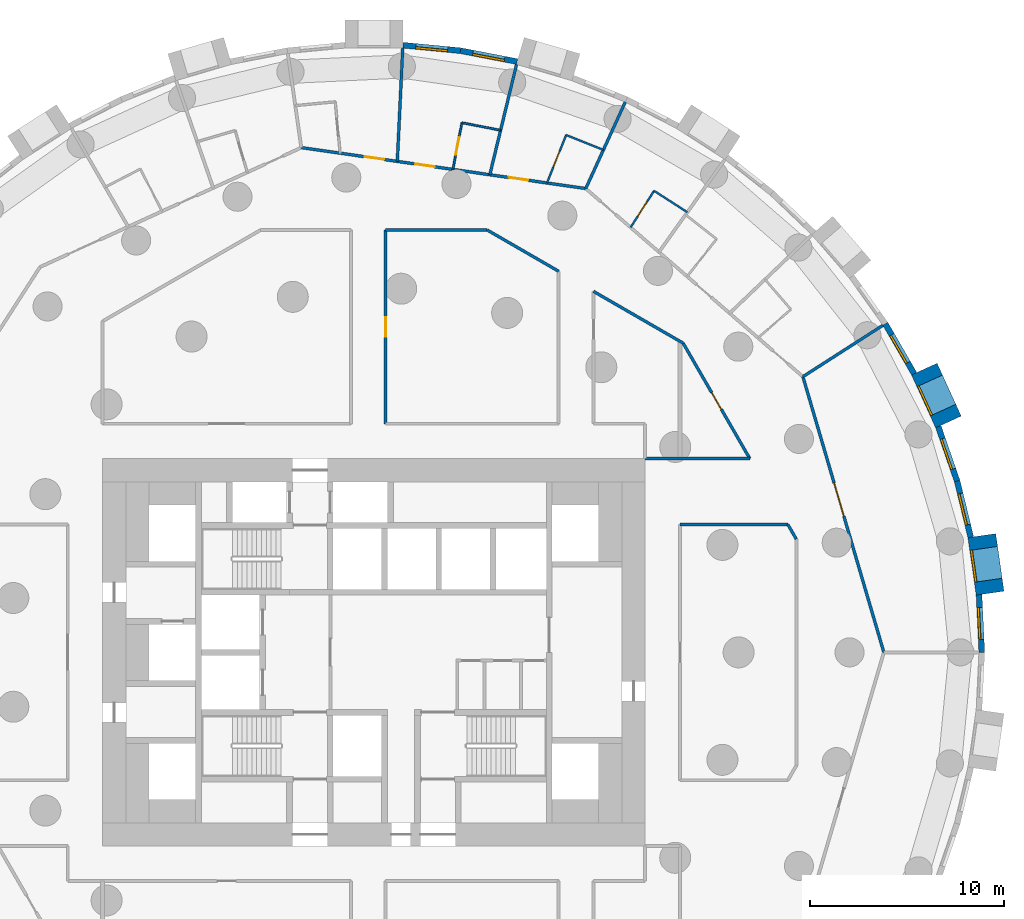
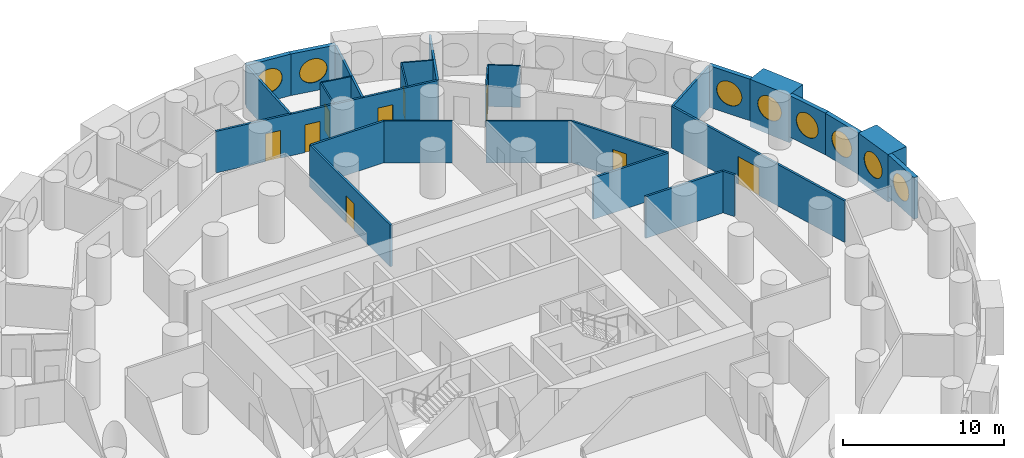
# One storey, part 9 of 12: 28 walls, 9 doors, 8 windows, 17 openings.
"""IFC4 building model written with IfcOpenShell, lengths in metres."""

from ifc_helpers import new_model, si_unit, direction, frame, frame_2d, origin, origin_2d, place, context, subcontext, project, spatial, rectangle, circle, extrude, material, layer, layer_set, type_object, element, fill, save


model = new_model("IFC4")

# Units and contexts
model_context = context("Model", 3, precision=1e-05, world=origin(), true_north=direction((0.0, 1.0)))
body_context = subcontext(model_context, "Body", "Model", "MODEL_VIEW")
ifc_project = project(units=[si_unit("LENGTHUNIT", "METRE"), si_unit("AREAUNIT", "SQUARE_METRE"), si_unit("VOLUMEUNIT", "CUBIC_METRE"), si_unit("PLANEANGLEUNIT", "RADIAN"), si_unit("MASSUNIT", "GRAM", prefix="KILO")], contexts=[model_context])

# Site, building, storey
site_placement = place(None, origin())
site = spatial("IfcSite", under=ifc_project, at=site_placement, CompositionType="ELEMENT")
building_placement = place(site_placement, origin())
building = spatial("IfcBuilding", under=site, at=building_placement, Name="Tracery Tower", CompositionType="ELEMENT")
storey_placement = place(building_placement, frame((0.0, 0.0, 49.800048828125)))
storey = spatial("IfcBuildingStorey", under=building, at=storey_placement, Name="L11", CompositionType="ELEMENT", Elevation=49.800048828125)

# Wall, opening, window
ifc_material_1 = material(Name="Precast concrete C50/60", Category="concrete")
ifc_layer_1 = layer(ifc_material_1, 1.449951171875)
ifc_layer_set_1 = layer_set([ifc_layer_1], Name="Deep-set bay unit 3000 x 3600, slab edge 450")
wall_type_1 = type_object("IfcWallType", Name="Deep-set bay unit 3000 x 3600, slab edge 450", PredefinedType="ELEMENTEDWALL", material=ifc_layer_set_1)
wall_1_placement = place(storey_placement, frame((31.802490234375, 3.05712890625, -0.449951171875), z_axis=(0.0, 0.0, 1.0), x_axis=(-0.142332746704, 0.989818866872, 0.0)))
wall_1 = element("IfcWall", 1, at=wall_1_placement, inside=storey, type_object=wall_type_1, Name="Deep-set bay unit 2 at L11", PredefinedType="ELEMENTEDWALL", context=body_context, shape_type="SweptSolid", body=[
    extrude(rectangle(XDim=3.0, YDim=1.449951171875, at=frame_2d((1.5, 0.0))), origin(), (0.0, 0.0, 1.0), 3.599853515625),
])
opening_1_placement = place(wall_1_placement, frame((1.5, 0.0, 2.0)))
opening_1 = element("IfcOpeningElement", 2, at=opening_1_placement, cuts=wall_1, Name="Opening WN1", PredefinedType="OPENING", context=body_context, shape_type="SweptSolid", body=[
    extrude(circle(Radius=0.9000244140625, at=origin_2d()), frame((0.0, 0.73486328125, 0.0), z_axis=(0.0, -1.0, 0.0), x_axis=(1.0, 0.0, 0.0)), (0.0, 0.0, 1.0), 1.469970703125),
])
ifc_material_2 = material(Name="Aluminium frame with tinted double glazing", Category="aluminium")
window_type = type_object("IfcWindowType", Name="Round window 1800", PartitioningType="SINGLE_PANEL", PredefinedType="WINDOW", material=ifc_material_2)
window_1_placement = place(opening_1_placement, origin())
window_1 = element("IfcWindow", 3, at=window_1_placement, inside=storey, type_object=window_type, Name="Round window 2 at L11", OverallHeight=1.800048828125, OverallWidth=1.800048828125, PartitioningType="SINGLE_PANEL", PredefinedType="WINDOW", context=body_context, shape_type="SweptSolid", body=[
    extrude(circle(Radius=0.9000244140625, at=origin_2d()), frame((0.0, 0.69482421875, 0.0), z_axis=(0.0, -1.0, 0.0), x_axis=(1.0, 0.0, 0.0)), (0.0, 0.0, 1.0), 0.10009765625),
])
fill(opening_1, window_1)

wall_2_placement = place(storey_placement, frame((29.653076171875, 11.89306640625, -0.449951171875), z_axis=(0.0, 0.0, 1.0), x_axis=(-0.415427028395, 0.909626508012, 0.0)))
wall_2 = element("IfcWall", 4, at=wall_2_placement, inside=storey, type_object=wall_type_1, Name="Deep-set bay unit 5 at L11", PredefinedType="ELEMENTEDWALL", context=body_context, shape_type="SweptSolid", body=[
    extrude(rectangle(XDim=3.000244140625, YDim=1.449951171875, at=frame_2d((1.5, 0.0))), origin(), (0.0, 0.0, 1.0), 3.599853515625),
])
opening_2_placement = place(wall_2_placement, frame((1.5, 0.0, 2.0)))
opening_2 = element("IfcOpeningElement", 5, at=opening_2_placement, cuts=wall_2, Name="Opening WN1", PredefinedType="OPENING", context=body_context, shape_type="SweptSolid", body=[
    extrude(circle(Radius=0.9000244140625, at=origin_2d()), frame((0.0, 0.73486328125, 0.0), z_axis=(0.0, -1.0, 0.0), x_axis=(1.0, 0.0, 0.0)), (0.0, 0.0, 1.0), 1.469970703125),
])
window_2_placement = place(opening_2_placement, origin())
window_2 = element("IfcWindow", 6, at=window_2_placement, inside=storey, type_object=window_type, Name="Round window 5 at L11", OverallHeight=1.800048828125, OverallWidth=1.800048828125, PartitioningType="SINGLE_PANEL", PredefinedType="WINDOW", context=body_context, shape_type="SweptSolid", body=[
    extrude(circle(Radius=0.9000244140625, at=origin_2d()), frame((0.0, 0.69482421875, 0.0), z_axis=(0.0, -1.0, 0.0), x_axis=(1.0, 0.0, 0.0)), (0.0, 0.0, 1.0), 0.10009765625),
])
fill(opening_2, window_2)

ifc_material_3 = material(Name="Precast concrete C50/60", Category="concrete")
ifc_layer_2 = layer(ifc_material_3, 0.300048828125)
ifc_layer_set_2 = layer_set([ifc_layer_2], Name="Facade panel 3000 x 3150")
wall_type_2 = type_object("IfcWallType", Name="Facade panel 3000 x 3150", PredefinedType="SOLIDWALL", material=ifc_layer_set_2)
wall_3_placement = place(storey_placement, frame((31.37451171875, 0.0, 0.0), z_axis=(0.0, 0.0, 1.0), x_axis=(-0.047604077644, 0.998866283239, 0.0)))
wall_3 = element("IfcWall", 7, at=wall_3_placement, inside=storey, type_object=wall_type_2, Name="Facade panel 1 at L11", PredefinedType="SOLIDWALL", context=body_context, shape_type="SweptSolid", body=[
    extrude(rectangle(XDim=2.979736328125, YDim=0.300048828125, at=frame_2d((1.48974609375, 0.0))), origin(), (0.0, 0.0, 1.0), 3.14990234375),
])
opening_3_placement = place(wall_3_placement, frame((1.48974609375, 0.0, 1.5498046875)))
opening_3 = element("IfcOpeningElement", 8, at=opening_3_placement, cuts=wall_3, Name="Opening WN1", PredefinedType="OPENING", context=body_context, shape_type="SweptSolid", body=[
    extrude(circle(Radius=0.9000244140625, at=origin_2d()), frame((0.0, 0.159912109375, 0.0), z_axis=(0.0, -1.0, 0.0), x_axis=(1.0, 0.0, 0.0)), (0.0, 0.0, 1.0), 0.320068359375),
])
window_3_placement = place(opening_3_placement, origin())
window_3 = element("IfcWindow", 9, at=window_3_placement, inside=storey, type_object=window_type, Name="Round window 1 at L11", OverallHeight=1.800048828125, OverallWidth=1.800048828125, PartitioningType="SINGLE_PANEL", PredefinedType="WINDOW", context=body_context, shape_type="SweptSolid", body=[
    extrude(circle(Radius=0.9000244140625, at=origin_2d()), frame((0.0, 0.1201171875, 0.0), z_axis=(0.0, -1.0, 0.0), x_axis=(1.0, 0.0, 0.0)), (0.0, 0.0, 1.0), 0.10009765625),
])
fill(opening_3, window_3)

wall_4_placement = place(storey_placement, frame((30.805908203125, 5.943603515625, 0.0), z_axis=(0.0, 0.0, 1.0), x_axis=(-0.235743081534, 0.971815414319, 0.0)))
wall_4 = element("IfcWall", 10, at=wall_4_placement, inside=storey, type_object=wall_type_2, Name="Facade panel 3 at L11", PredefinedType="SOLIDWALL", context=body_context, shape_type="SweptSolid", body=[
    extrude(rectangle(XDim=2.9794921875, YDim=0.300048828125, at=frame_2d((1.48974609375, 0.0))), origin(), (0.0, 0.0, 1.0), 3.14990234375),
])
opening_4_placement = place(wall_4_placement, frame((1.48974609375, 0.0, 1.5498046875)))
opening_4 = element("IfcOpeningElement", 11, at=opening_4_placement, cuts=wall_4, Name="Opening WN1", PredefinedType="OPENING", context=body_context, shape_type="SweptSolid", body=[
    extrude(circle(Radius=0.9000244140625, at=origin_2d()), frame((0.0, 0.159912109375, 0.0), z_axis=(0.0, -1.0, 0.0), x_axis=(1.0, 0.0, 0.0)), (0.0, 0.0, 1.0), 0.320068359375),
])
window_4_placement = place(opening_4_placement, origin())
window_4 = element("IfcWindow", 12, at=window_4_placement, inside=storey, type_object=window_type, Name="Round window 3 at L11", OverallHeight=1.800048828125, OverallWidth=1.800048828125, PartitioningType="SINGLE_PANEL", PredefinedType="WINDOW", context=body_context, shape_type="SweptSolid", body=[
    extrude(circle(Radius=0.9000244140625, at=origin_2d()), frame((0.0, 0.1201171875, 0.0), z_axis=(0.0, -1.0, 0.0), x_axis=(1.0, 0.0, 0.0)), (0.0, 0.0, 1.0), 0.10009765625),
])
fill(opening_4, window_4)

wall_5_placement = place(storey_placement, frame((30.103515625, 8.839111328125, 0.0), z_axis=(0.0, 0.0, 1.0), x_axis=(-0.327071167136, 0.944999709856, 0.0)))
wall_5 = element("IfcWall", 13, at=wall_5_placement, inside=storey, type_object=wall_type_2, Name="Facade panel 4 at L11", PredefinedType="SOLIDWALL", context=body_context, shape_type="SweptSolid", body=[
    extrude(rectangle(XDim=2.979736328125, YDim=0.300048828125, at=frame_2d((1.48974609375, 0.0))), origin(), (0.0, 0.0, 1.0), 3.14990234375),
])
opening_5_placement = place(wall_5_placement, frame((1.48974609375, 0.0, 1.5498046875)))
opening_5 = element("IfcOpeningElement", 14, at=opening_5_placement, cuts=wall_5, Name="Opening WN1", PredefinedType="OPENING", context=body_context, shape_type="SweptSolid", body=[
    extrude(circle(Radius=0.9000244140625, at=origin_2d()), frame((0.0, 0.159912109375, 0.0), z_axis=(0.0, -1.0, 0.0), x_axis=(1.0, 0.0, 0.0)), (0.0, 0.0, 1.0), 0.320068359375),
])
window_5_placement = place(opening_5_placement, origin())
window_5 = element("IfcWindow", 15, at=window_5_placement, inside=storey, type_object=window_type, Name="Round window 4 at L11", OverallHeight=1.800048828125, OverallWidth=1.800048828125, PartitioningType="SINGLE_PANEL", PredefinedType="WINDOW", context=body_context, shape_type="SweptSolid", body=[
    extrude(circle(Radius=0.9000244140625, at=origin_2d()), frame((0.0, 0.1201171875, 0.0), z_axis=(0.0, -1.0, 0.0), x_axis=(1.0, 0.0, 0.0)), (0.0, 0.0, 1.0), 0.10009765625),
])
fill(opening_5, window_5)

wall_6_placement = place(storey_placement, frame((27.8837890625, 14.3818359375, 0.0), z_axis=(0.0, 0.0, 1.0), x_axis=(-0.500025049464, 0.866010940986, 0.0)))
wall_6 = element("IfcWall", 16, at=wall_6_placement, inside=storey, type_object=wall_type_2, Name="Facade panel 6 at L11", PredefinedType="SOLIDWALL", context=body_context, shape_type="SweptSolid", body=[
    extrude(rectangle(XDim=2.979736328125, YDim=0.300048828125, at=frame_2d((1.48974609375, 0.0))), origin(), (0.0, 0.0, 1.0), 3.14990234375),
])
opening_6_placement = place(wall_6_placement, frame((1.48974609375, 0.0, 1.5498046875)))
opening_6 = element("IfcOpeningElement", 17, at=opening_6_placement, cuts=wall_6, Name="Opening WN1", PredefinedType="OPENING", context=body_context, shape_type="SweptSolid", body=[
    extrude(circle(Radius=0.9000244140625, at=origin_2d()), frame((0.0, 0.159912109375, 0.0), z_axis=(0.0, -1.0, 0.0), x_axis=(1.0, 0.0, 0.0)), (0.0, 0.0, 1.0), 0.320068359375),
])
window_6_placement = place(opening_6_placement, origin())
window_6 = element("IfcWindow", 18, at=window_6_placement, inside=storey, type_object=window_type, Name="Round window 6 at L11", OverallHeight=1.800048828125, OverallWidth=1.800048828125, PartitioningType="SINGLE_PANEL", PredefinedType="WINDOW", context=body_context, shape_type="SweptSolid", body=[
    extrude(circle(Radius=0.9000244140625, at=origin_2d()), frame((0.0, 0.1201171875, 0.0), z_axis=(0.0, -1.0, 0.0), x_axis=(1.0, 0.0, 0.0)), (0.0, 0.0, 1.0), 0.10009765625),
])
fill(opening_6, window_6)

wall_7_placement = place(storey_placement, frame((7.390869140625, 30.4912109375, 0.0), z_axis=(0.0, 0.0, 1.0), x_axis=(-0.981924535406, 0.189272836848, 0.0)))
wall_7 = element("IfcWall", 19, at=wall_7_placement, inside=storey, type_object=wall_type_2, Name="Facade panel 15 at L11", PredefinedType="SOLIDWALL", context=body_context, shape_type="SweptSolid", body=[
    extrude(rectangle(XDim=2.979736328125, YDim=0.300048828125, at=frame_2d((1.48974609375, 0.0))), origin(), (0.0, 0.0, 1.0), 3.14990234375),
])
opening_7_placement = place(wall_7_placement, frame((1.48974609375, 0.0, 1.5498046875)))
opening_7 = element("IfcOpeningElement", 20, at=opening_7_placement, cuts=wall_7, Name="Opening WN1", PredefinedType="OPENING", context=body_context, shape_type="SweptSolid", body=[
    extrude(circle(Radius=0.9000244140625, at=origin_2d()), frame((0.0, 0.159912109375, 0.0), z_axis=(0.0, -1.0, 0.0), x_axis=(1.0, 0.0, 0.0)), (0.0, 0.0, 1.0), 0.320068359375),
])
window_7_placement = place(opening_7_placement, origin())
window_7 = element("IfcWindow", 21, at=window_7_placement, inside=storey, type_object=window_type, Name="Round window 15 at L11", OverallHeight=1.800048828125, OverallWidth=1.800048828125, PartitioningType="SINGLE_PANEL", PredefinedType="WINDOW", context=body_context, shape_type="SweptSolid", body=[
    extrude(circle(Radius=0.9000244140625, at=origin_2d()), frame((0.0, 0.1201171875, 0.0), z_axis=(0.0, -1.0, 0.0), x_axis=(1.0, 0.0, 0.0)), (0.0, 0.0, 1.0), 0.10009765625),
])
fill(opening_7, window_7)

wall_8_placement = place(storey_placement, frame((4.465087890625, 31.05517578125, 0.0), z_axis=(0.0, 0.0, 1.0), x_axis=(-0.995473351551, 0.095041077185, 0.0)))
wall_8 = element("IfcWall", 22, at=wall_8_placement, inside=storey, type_object=wall_type_2, Name="Facade panel 16 at L11", PredefinedType="SOLIDWALL", context=body_context, shape_type="SweptSolid", body=[
    extrude(rectangle(XDim=2.979736328125, YDim=0.300048828125, at=frame_2d((1.48974609375, 0.0))), origin(), (0.0, 0.0, 1.0), 3.14990234375),
])
opening_8_placement = place(wall_8_placement, frame((1.48974609375, 0.0, 1.5498046875)))
opening_8 = element("IfcOpeningElement", 23, at=opening_8_placement, cuts=wall_8, Name="Opening WN1", PredefinedType="OPENING", context=body_context, shape_type="SweptSolid", body=[
    extrude(circle(Radius=0.9000244140625, at=origin_2d()), frame((0.0, 0.159912109375, 0.0), z_axis=(0.0, -1.0, 0.0), x_axis=(1.0, 0.0, 0.0)), (0.0, 0.0, 1.0), 0.320068359375),
])
window_8_placement = place(opening_8_placement, origin())
window_8 = element("IfcWindow", 24, at=window_8_placement, inside=storey, type_object=window_type, Name="Round window 16 at L11", OverallHeight=1.800048828125, OverallWidth=1.800048828125, PartitioningType="SINGLE_PANEL", PredefinedType="WINDOW", context=body_context, shape_type="SweptSolid", body=[
    extrude(circle(Radius=0.9000244140625, at=origin_2d()), frame((0.0, 0.1201171875, 0.0), z_axis=(0.0, -1.0, 0.0), x_axis=(1.0, 0.0, 0.0)), (0.0, 0.0, 1.0), 0.10009765625),
])
fill(opening_8, window_8)

# Wall
ifc_material_4 = material(Name="Plasterboard on steel studs", Category="steel")
ifc_layer_3 = layer(ifc_material_4, 0.10009765625)
ifc_layer_set_3 = layer_set([ifc_layer_3], Name="Partition 100 wet wall")
wall_type_3 = type_object("IfcWallType", Name="Partition 100 wet wall", PredefinedType="PARTITIONING", material=ifc_layer_set_3)
wall_9_placement = place(storey_placement, frame((14.4599609375, 23.821044921875, 0.0), z_axis=(0.0, 0.0, 1.0), x_axis=(0.841135728185, -0.540824081168, 0.0)))
element("IfcWall", 25, at=wall_9_placement, inside=storey, type_object=wall_type_3, Name="Wet wall RA3-068", PredefinedType="PARTITIONING", context=body_context, shape_type="SweptSolid", body=[
    extrude(rectangle(XDim=2.041259765625, YDim=0.10009765625, at=frame_2d((1.0205078125, 0.0))), origin(), (0.0, 0.0, 1.0), 3.14990234375),
])

# Wall, opening, door
wall_10_placement = place(storey_placement, frame((13.248046875, 21.93505859375, 0.0), z_axis=(0.0, 0.0, 1.0), x_axis=(0.540597960994, 0.841281073464, 0.0)))
wall_10 = element("IfcWall", 26, at=wall_10_placement, inside=storey, type_object=wall_type_3, Name="Wet wall RA3-069", PredefinedType="PARTITIONING", context=body_context, shape_type="SweptSolid", body=[
    extrude(rectangle(XDim=2.24169921875, YDim=0.10009765625, at=frame_2d((1.120849609375, 0.0))), origin(), (0.0, 0.0, 1.0), 3.14990234375),
])
opening_9_placement = place(wall_10_placement, frame((0.6708984375, 0.0, 0.0)))
opening_9 = element("IfcOpeningElement", 27, at=opening_9_placement, cuts=wall_10, Name="Opening RA3-16", PredefinedType="OPENING", context=body_context, shape_type="SweptSolid", body=[
    extrude(rectangle(XDim=0.89990234375, YDim=2.0400390625, at=frame_2d((0.449951171875, 1.02001953125))), frame((0.0, 0.050048828125, 0.0), z_axis=(0.0, -1.0, 0.0), x_axis=(1.0, 0.0, 0.0)), (0.0, 0.0, 1.0), 0.10009765625),
])
ifc_material_5 = material(Name="Timber door leaf", Category="wood")
door_type_1 = type_object("IfcDoorType", Name="Door en-suite 900", OperationType="NOTDEFINED", PredefinedType="DOOR", material=ifc_material_5)
door_1_placement = place(opening_9_placement, origin())
door_1 = element("IfcDoor", 28, at=door_1_placement, inside=storey, type_object=door_type_1, Name="En-suite door RA3-16", OperationType="SINGLE_SWING_RIGHT", OverallHeight=2.0400390625, OverallWidth=0.89990234375, PredefinedType="DOOR", context=body_context, shape_type="SweptSolid", body=[
    extrude(rectangle(XDim=0.89990234375, YDim=2.0400390625, at=frame_2d((0.449951171875, 1.02001953125))), frame((0.0, 0.02490234375, 0.0), z_axis=(0.0, -1.0, 0.0), x_axis=(1.0, 0.0, 0.0)), (0.0, 0.0, 1.0), 0.050048828125),
])
fill(opening_9, door_1)

# Wall
wall_11_placement = place(storey_placement, frame((9.9208984375, 26.7041015625, 0.0), z_axis=(0.0, 0.0, 1.0), x_axis=(0.928346586681, -0.37171577179, 0.0)))
element("IfcWall", 29, at=wall_11_placement, inside=storey, type_object=wall_type_3, Name="Wet wall RA3-071", PredefinedType="PARTITIONING", context=body_context, shape_type="SweptSolid", body=[
    extrude(rectangle(XDim=2.071533203125, YDim=0.10009765625, at=frame_2d((1.03564453125, 0.0))), origin(), (0.0, 0.0, 1.0), 3.14990234375),
])

# Wall, opening, door
wall_12_placement = place(storey_placement, frame((8.929931640625, 24.22802734375, 0.0), z_axis=(0.0, 0.0, 1.0), x_axis=(0.371564281805, 0.928407229876, 0.0)))
wall_12 = element("IfcWall", 30, at=wall_12_placement, inside=storey, type_object=wall_type_3, Name="Wet wall RA3-072", PredefinedType="PARTITIONING", context=body_context, shape_type="SweptSolid", body=[
    extrude(rectangle(XDim=2.6669921875, YDim=0.10009765625, at=frame_2d((1.33349609375, 0.0))), origin(), (0.0, 0.0, 1.0), 3.14990234375),
])
opening_10_placement = place(wall_12_placement, frame((0.884033203125, 0.0, 0.0)))
opening_10 = element("IfcOpeningElement", 31, at=opening_10_placement, cuts=wall_12, Name="Opening RA3-18", PredefinedType="OPENING", context=body_context, shape_type="SweptSolid", body=[
    extrude(rectangle(XDim=0.89990234375, YDim=2.0400390625, at=frame_2d((0.449951171875, 1.02001953125))), frame((0.0, 0.050048828125, 0.0), z_axis=(0.0, -1.0, 0.0), x_axis=(1.0, 0.0, 0.0)), (0.0, 0.0, 1.0), 0.10009765625),
])
door_2_placement = place(opening_10_placement, origin())
door_2 = element("IfcDoor", 32, at=door_2_placement, inside=storey, type_object=door_type_1, Name="En-suite door RA3-18", OperationType="SINGLE_SWING_LEFT", OverallHeight=2.0400390625, OverallWidth=0.89990234375, PredefinedType="DOOR", context=body_context, shape_type="SweptSolid", body=[
    extrude(rectangle(XDim=0.89990234375, YDim=2.0400390625, at=frame_2d((0.449951171875, 1.02001953125))), frame((0.0, 0.02490234375, 0.0), z_axis=(0.0, -1.0, 0.0), x_axis=(1.0, 0.0, 0.0)), (0.0, 0.0, 1.0), 0.050048828125),
])
fill(opening_10, door_2)

# Wall
wall_13_placement = place(storey_placement, frame((4.541015625, 27.333984375, 0.0), z_axis=(0.0, 0.0, 1.0), x_axis=(0.981919009751, -0.189301501024, 0.0)))
element("IfcWall", 33, at=wall_13_placement, inside=storey, type_object=wall_type_3, Name="Wet wall RA3-074", PredefinedType="PARTITIONING", context=body_context, shape_type="SweptSolid", body=[
    extrude(rectangle(XDim=2.033935546875, YDim=0.10009765625, at=frame_2d((1.01708984375, 0.0))), origin(), (0.0, 0.0, 1.0), 3.14990234375),
])

# Wall, opening, door
wall_14_placement = place(storey_placement, frame((4.076904296875, 24.926025390625, 0.0), z_axis=(0.0, 0.0, 1.0), x_axis=(0.18925724964, 0.981927539821, 0.0)))
wall_14 = element("IfcWall", 34, at=wall_14_placement, inside=storey, type_object=wall_type_3, Name="Wet wall RA3-075", PredefinedType="PARTITIONING", context=body_context, shape_type="SweptSolid", body=[
    extrude(rectangle(XDim=2.452392578125, YDim=0.10009765625, at=frame_2d((1.22607421875, 0.0))), origin(), (0.0, 0.0, 1.0), 3.14990234375),
])
opening_11_placement = place(wall_14_placement, frame((0.7763671875, 0.0, 0.0)))
opening_11 = element("IfcOpeningElement", 35, at=opening_11_placement, cuts=wall_14, Name="Opening RA3-20", PredefinedType="OPENING", context=body_context, shape_type="SweptSolid", body=[
    extrude(rectangle(XDim=0.89990234375, YDim=2.0400390625, at=frame_2d((0.449951171875, 1.02001953125))), frame((0.0, 0.050048828125, 0.0), z_axis=(0.0, -1.0, 0.0), x_axis=(1.0, 0.0, 0.0)), (0.0, 0.0, 1.0), 0.10009765625),
])
door_3_placement = place(opening_11_placement, origin())
door_3 = element("IfcDoor", 36, at=door_3_placement, inside=storey, type_object=door_type_1, Name="En-suite door RA3-20", OperationType="SINGLE_SWING_LEFT", OverallHeight=2.0400390625, OverallWidth=0.89990234375, PredefinedType="DOOR", context=body_context, shape_type="SweptSolid", body=[
    extrude(rectangle(XDim=0.89990234375, YDim=2.0400390625, at=frame_2d((0.449951171875, 1.02001953125))), frame((0.0, 0.02490234375, 0.0), z_axis=(0.0, -1.0, 0.0), x_axis=(1.0, 0.0, 0.0)), (0.0, 0.0, 1.0), 0.050048828125),
])
fill(opening_11, door_3)

# Walls
ifc_material_6 = material(Name="Plasterboard on steel studs", Category="steel")
ifc_layer_4 = layer(ifc_material_6, 0.14990234375)
ifc_layer_set_4 = layer_set([ifc_layer_4], Name="Partition 150 acoustic unit wall")
wall_type_4 = type_object("IfcWallType", Name="Partition 150 acoustic unit wall", PredefinedType="PARTITIONING", material=ifc_layer_set_4)
wall_15_placement = place(storey_placement, frame((22.14111328125, 14.22900390625, 0.0), z_axis=(0.0, 0.0, 1.0), x_axis=(0.841325591791, 0.540528675093, 0.0)))
element("IfcWall", 37, at=wall_15_placement, inside=storey, type_object=wall_type_4, Name="Unit wall RA3-060", PredefinedType="PARTITIONING", context=body_context, shape_type="SweptSolid", body=[
    extrude(rectangle(XDim=4.905517578125, YDim=0.14990234375, at=frame_2d((2.45263671875, 0.0))), origin(), (0.0, 0.0, 1.0), 3.14990234375),
])
wall_16_placement = place(storey_placement, frame((10.93408203125, 23.939453125, 0.0), z_axis=(0.0, 0.0, 1.0), x_axis=(0.415144641481, 0.909755421336, 0.0)))
element("IfcWall", 38, at=wall_16_placement, inside=storey, type_object=wall_type_4, Name="Unit wall RA3-070", PredefinedType="PARTITIONING", context=body_context, shape_type="SweptSolid", body=[
    extrude(rectangle(XDim=4.906494140625, YDim=0.14990234375, at=frame_2d((2.453125, 0.0))), origin(), (0.0, 0.0, 1.0), 3.14990234375),
])
wall_17_placement = place(storey_placement, frame((5.9814453125, 24.65185546875, 0.0), z_axis=(0.0, 0.0, 1.0), x_axis=(0.235555883074, 0.971860805851, 0.0)))
element("IfcWall", 39, at=wall_17_placement, inside=storey, type_object=wall_type_4, Name="Unit wall RA3-073", PredefinedType="PARTITIONING", context=body_context, shape_type="SweptSolid", body=[
    extrude(rectangle(XDim=5.85693359375, YDim=0.14990234375, at=frame_2d((2.928466796875, 0.0))), origin(), (0.0, 0.0, 1.0), 3.14990234375),
])
wall_18_placement = place(storey_placement, frame((1.20703125, 25.339111328125, 0.0), z_axis=(0.0, 0.0, 1.0), x_axis=(0.04789788494, 0.99885223763, 0.0)))
element("IfcWall", 40, at=wall_18_placement, inside=storey, type_object=wall_type_4, Name="Unit wall RA3-076", PredefinedType="PARTITIONING", context=body_context, shape_type="SweptSolid", body=[
    extrude(rectangle(XDim=5.856689453125, YDim=0.14990234375, at=frame_2d((2.92822265625, 0.0))), origin(), (0.0, 0.0, 1.0), 3.14990234375),
])
ifc_material_7 = material(Name="Plasterboard on steel studs", Category="steel")
ifc_layer_5 = layer(ifc_material_7, 0.14990234375)
ifc_layer_set_5 = layer_set([ifc_layer_5], Name="Partition 150 corridor wall")
wall_type_5 = type_object("IfcWallType", Name="Partition 150 corridor wall", PredefinedType="PARTITIONING", material=ifc_layer_set_5)
wall_19_placement = place(storey_placement, frame((14.0, 10.0, 0.0), z_axis=(0.0, 0.0, 1.0), x_axis=(1.0, 0.0, 0.0)))
element("IfcWall", 41, at=wall_19_placement, inside=storey, type_object=wall_type_5, Name="Corridor wall RA3-010", PredefinedType="PARTITIONING", context=body_context, shape_type="SweptSolid", body=[
    extrude(rectangle(XDim=5.40087890625, YDim=0.14990234375, at=frame_2d((2.700439453125, 0.0))), origin(), (0.0, 0.0, 1.0), 3.14990234375),
])
wall_20_placement = place(storey_placement, frame((21.364013671875, 6.60009765625, 0.0), z_axis=(0.0, 0.0, 1.0), x_axis=(0.500277597875, -0.865865073245, 0.0)))
element("IfcWall", 42, at=wall_20_placement, inside=storey, type_object=wall_type_5, Name="Corridor wall RA3-018", PredefinedType="PARTITIONING", context=body_context, shape_type="SweptSolid", body=[
    extrude(rectangle(XDim=0.87548828125, YDim=0.14990234375, at=frame_2d((0.437744140625, 0.0))), origin(), (0.0, 0.0, 1.0), 3.14990234375),
])
wall_21_placement = place(storey_placement, frame((15.800048828125, 6.60009765625, 0.0), z_axis=(0.0, 0.0, 1.0), x_axis=(1.0, 0.0, 0.0)))
element("IfcWall", 43, at=wall_21_placement, inside=storey, type_object=wall_type_5, Name="Corridor wall RA3-019", PredefinedType="PARTITIONING", context=body_context, shape_type="SweptSolid", body=[
    extrude(rectangle(XDim=5.56396484375, YDim=0.14990234375, at=frame_2d((2.781982421875, 0.0))), origin(), (0.0, 0.0, 1.0), 3.14990234375),
])

# Wall, opening, door
wall_22_placement = place(storey_placement, frame((15.9599609375, 15.9599609375, 0.0), z_axis=(0.0, 0.0, 1.0), x_axis=(0.499992689227, -0.86602962462, 0.0)))
wall_22 = element("IfcWall", 44, at=wall_22_placement, inside=storey, type_object=wall_type_5, Name="Corridor wall RA3-020", PredefinedType="PARTITIONING", context=body_context, shape_type="SweptSolid", body=[
    extrude(rectangle(XDim=6.8818359375, YDim=0.14990234375, at=frame_2d((3.44091796875, 0.0))), origin(), (0.0, 0.0, 1.0), 3.14990234375),
])
opening_12_placement = place(wall_22_placement, frame((2.94091796875, 0.0, 0.0)))
opening_12 = element("IfcOpeningElement", 45, at=opening_12_placement, cuts=wall_22, Name="Opening RA3-09", PredefinedType="OPENING", context=body_context, shape_type="SweptSolid", body=[
    extrude(rectangle(XDim=1.0, YDim=2.0400390625, at=frame_2d((0.5, 1.02001953125))), frame((0.0, 0.074951171875, 0.0), z_axis=(0.0, -1.0, 0.0), x_axis=(1.0, 0.0, 0.0)), (0.0, 0.0, 1.0), 0.14990234375),
])
ifc_material_8 = material(Name="Timber door leaf", Category="wood")
door_type_2 = type_object("IfcDoorType", Name="Door communal room 1000", OperationType="NOTDEFINED", PredefinedType="DOOR", material=ifc_material_8)
door_4_placement = place(opening_12_placement, origin())
door_4 = element("IfcDoor", 46, at=door_4_placement, inside=storey, type_object=door_type_2, Name="Communal room door RA3-09", OperationType="SINGLE_SWING_LEFT", OverallHeight=2.0400390625, OverallWidth=1.0, PredefinedType="DOOR", context=body_context, shape_type="SweptSolid", body=[
    extrude(rectangle(XDim=1.0, YDim=2.0400390625, at=frame_2d((0.5, 1.02001953125))), frame((0.0, 0.02490234375, 0.0), z_axis=(0.0, -1.0, 0.0), x_axis=(1.0, 0.0, 0.0)), (0.0, 0.0, 1.0), 0.050048828125),
])
fill(opening_12, door_4)

wall_23_placement = place(storey_placement, frame((22.14111328125, 14.22900390625, 0.0), z_axis=(0.0, 0.0, 1.0), x_axis=(0.281730446162, -0.959493593363, 0.0)))
wall_23 = element("IfcWall", 47, at=wall_23_placement, inside=storey, type_object=wall_type_5, Name="Corridor wall RA3-021", PredefinedType="PARTITIONING", context=body_context, shape_type="SweptSolid", body=[
    extrude(rectangle(XDim=14.82958984375, YDim=0.14990234375, at=frame_2d((7.414794921875, 0.0))), origin(), (0.0, 0.0, 1.0), 3.14990234375),
])
opening_13_placement = place(wall_23_placement, frame((5.715087890625, 0.0, 0.0)))
opening_13 = element("IfcOpeningElement", 48, at=opening_13_placement, cuts=wall_23, Name="Opening RA3-11", PredefinedType="OPENING", context=body_context, shape_type="SweptSolid", body=[
    extrude(rectangle(XDim=1.800048828125, YDim=2.10009765625, at=frame_2d((0.89990234375, 1.050048828125))), frame((0.0, 0.074951171875, 0.0), z_axis=(0.0, -1.0, 0.0), x_axis=(1.0, 0.0, 0.0)), (0.0, 0.0, 1.0), 0.14990234375),
])
ifc_material_9 = material(Name="Timber door leaf", Category="wood")
door_type_3 = type_object("IfcDoorType", Name="Door double lounge 1800", OperationType="NOTDEFINED", PredefinedType="DOOR", material=ifc_material_9)
door_5_placement = place(opening_13_placement, origin())
door_5 = element("IfcDoor", 49, at=door_5_placement, inside=storey, type_object=door_type_3, Name="Double lounge door RA3-11", OperationType="DOUBLE_DOOR_SINGLE_SWING", OverallHeight=2.10009765625, OverallWidth=1.800048828125, PredefinedType="DOOR", context=body_context, shape_type="SweptSolid", body=[
    extrude(rectangle(XDim=1.800048828125, YDim=2.10009765625, at=frame_2d((0.89990234375, 1.050048828125))), frame((0.0, 0.02490234375, 0.0), z_axis=(0.0, -1.0, 0.0), x_axis=(1.0, 0.0, 0.0)), (0.0, 0.0, 1.0), 0.050048828125),
])
fill(opening_13, door_5)

# Walls
wall_24_placement = place(storey_placement, frame((5.842041015625, 21.802001953125, 0.0), z_axis=(0.0, 0.0, 1.0), x_axis=(0.865983505205, -0.500072563448, 0.0)))
element("IfcWall", 50, at=wall_24_placement, inside=storey, type_object=wall_type_5, Name="Corridor wall RA3-030", PredefinedType="PARTITIONING", context=body_context, shape_type="SweptSolid", body=[
    extrude(rectangle(XDim=4.265380859375, YDim=0.14990234375, at=frame_2d((2.1328125, 0.0))), origin(), (0.0, 0.0, 1.0), 3.14990234375),
])
wall_25_placement = place(storey_placement, frame((0.60791015625, 21.802001953125, 0.0), z_axis=(0.0, 0.0, 1.0), x_axis=(1.0, 0.0, 0.0)))
element("IfcWall", 51, at=wall_25_placement, inside=storey, type_object=wall_type_5, Name="Corridor wall RA3-031", PredefinedType="PARTITIONING", context=body_context, shape_type="SweptSolid", body=[
    extrude(rectangle(XDim=5.234130859375, YDim=0.14990234375, at=frame_2d((2.6171875, 0.0))), origin(), (0.0, 0.0, 1.0), 3.14990234375),
])

# Wall, opening, door
wall_26_placement = place(storey_placement, frame((0.60791015625, 11.800048828125, 0.0), z_axis=(0.0, 0.0, 1.0), x_axis=(0.0, 1.0, 0.0)))
wall_26 = element("IfcWall", 52, at=wall_26_placement, inside=storey, type_object=wall_type_5, Name="Corridor wall RA3-032", PredefinedType="PARTITIONING", context=body_context, shape_type="SweptSolid", body=[
    extrude(rectangle(XDim=10.001953125, YDim=0.14990234375, at=frame_2d((5.0009765625, 0.0))), origin(), (0.0, 0.0, 1.0), 3.14990234375),
])
opening_14_placement = place(wall_26_placement, frame((4.5009765625, 0.0, 0.0)))
opening_14 = element("IfcOpeningElement", 53, at=opening_14_placement, cuts=wall_26, Name="Opening RA3-02", PredefinedType="OPENING", context=body_context, shape_type="SweptSolid", body=[
    extrude(rectangle(XDim=1.0, YDim=2.0400390625, at=frame_2d((0.5, 1.02001953125))), frame((0.0, 0.074951171875, 0.0), z_axis=(0.0, -1.0, 0.0), x_axis=(1.0, 0.0, 0.0)), (0.0, 0.0, 1.0), 0.14990234375),
])
door_6_placement = place(opening_14_placement, origin())
door_6 = element("IfcDoor", 54, at=door_6_placement, inside=storey, type_object=door_type_2, Name="Communal room door RA3-02", OperationType="SINGLE_SWING_RIGHT", OverallHeight=2.0400390625, OverallWidth=1.0, PredefinedType="DOOR", context=body_context, shape_type="SweptSolid", body=[
    extrude(rectangle(XDim=1.0, YDim=2.0400390625, at=frame_2d((0.5, 1.02001953125))), frame((0.0, 0.02490234375, 0.0), z_axis=(0.0, -1.0, 0.0), x_axis=(1.0, 0.0, 0.0)), (0.0, 0.0, 1.0), 0.050048828125),
])
fill(opening_14, door_6)

# Wall
wall_27_placement = place(storey_placement, frame((11.3359375, 18.6298828125, 0.0), z_axis=(0.0, 0.0, 1.0), x_axis=(0.866056911224, -0.499945423543, 0.0)))
element("IfcWall", 55, at=wall_27_placement, inside=storey, type_object=wall_type_5, Name="Corridor wall RA3-033", PredefinedType="PARTITIONING", context=body_context, shape_type="SweptSolid", body=[
    extrude(rectangle(XDim=5.33935546875, YDim=0.14990234375, at=frame_2d((2.669677734375, 0.0))), origin(), (0.0, 0.0, 1.0), 3.14990234375),
])

# Wall, openings, doors
wall_28_placement = place(storey_placement, frame((-3.74560546875, 26.0537109375, 0.0), z_axis=(0.0, 0.0, 1.0), x_axis=(0.989780545379, -0.142598990138, 0.0)))
wall_28 = element("IfcWall", 56, at=wall_28_placement, inside=storey, type_object=wall_type_5, Name="Corridor wall RA3-035", PredefinedType="PARTITIONING", context=body_context, shape_type="SweptSolid", body=[
    extrude(rectangle(XDim=14.830078125, YDim=0.14990234375, at=frame_2d((7.4150390625, 0.0))), origin(), (0.0, 0.0, 1.0), 3.14990234375),
])
opening_15_placement = place(wall_28_placement, frame((10.81689453125, 0.0, 0.0)))
opening_15 = element("IfcOpeningElement", 57, at=opening_15_placement, cuts=wall_28, Name="Opening RA3-19", PredefinedType="OPENING", context=body_context, shape_type="SweptSolid", body=[
    extrude(rectangle(XDim=1.0, YDim=2.10009765625, at=frame_2d((0.5, 1.050048828125))), frame((0.0, 0.074951171875, 0.0), z_axis=(0.0, -1.0, 0.0), x_axis=(1.0, 0.0, 0.0)), (0.0, 0.0, 1.0), 0.14990234375),
])
opening_16_placement = place(wall_28_placement, frame((5.9541015625, 0.0, 0.0)))
opening_16 = element("IfcOpeningElement", 58, at=opening_16_placement, cuts=wall_28, Name="Opening RA3-21", PredefinedType="OPENING", context=body_context, shape_type="SweptSolid", body=[
    extrude(rectangle(XDim=1.0, YDim=2.10009765625, at=frame_2d((0.5, 1.050048828125))), frame((0.0, 0.074951171875, 0.0), z_axis=(0.0, -1.0, 0.0), x_axis=(1.0, 0.0, 0.0)), (0.0, 0.0, 1.0), 0.14990234375),
])
opening_17_placement = place(wall_28_placement, frame((3.313720703125, 0.0, 0.0)))
opening_17 = element("IfcOpeningElement", 59, at=opening_17_placement, cuts=wall_28, Name="Opening RA3-23", PredefinedType="OPENING", context=body_context, shape_type="SweptSolid", body=[
    extrude(rectangle(XDim=1.0, YDim=2.10009765625, at=frame_2d((0.5, 1.050048828125))), frame((0.0, 0.074951171875, 0.0), z_axis=(0.0, -1.0, 0.0), x_axis=(1.0, 0.0, 0.0)), (0.0, 0.0, 1.0), 0.14990234375),
])
ifc_material_10 = material(Name="Timber door leaf", Category="wood")
door_type_4 = type_object("IfcDoorType", Name="Door unit entrance 1000", OperationType="NOTDEFINED", PredefinedType="DOOR", material=ifc_material_10)
door_7_placement = place(opening_15_placement, origin())
door_7 = element("IfcDoor", 60, at=door_7_placement, inside=storey, type_object=door_type_4, Name="Unit entrance door RA3-19", OperationType="SINGLE_SWING_RIGHT", OverallHeight=2.10009765625, OverallWidth=1.0, PredefinedType="DOOR", context=body_context, shape_type="SweptSolid", body=[
    extrude(rectangle(XDim=1.0, YDim=2.10009765625, at=frame_2d((0.5, 1.050048828125))), frame((0.0, 0.02490234375, 0.0), z_axis=(0.0, -1.0, 0.0), x_axis=(1.0, 0.0, 0.0)), (0.0, 0.0, 1.0), 0.050048828125),
])
fill(opening_15, door_7)
door_8_placement = place(opening_16_placement, origin())
door_8 = element("IfcDoor", 61, at=door_8_placement, inside=storey, type_object=door_type_4, Name="Unit entrance door RA3-21", OperationType="SINGLE_SWING_RIGHT", OverallHeight=2.10009765625, OverallWidth=1.0, PredefinedType="DOOR", context=body_context, shape_type="SweptSolid", body=[
    extrude(rectangle(XDim=1.0, YDim=2.10009765625, at=frame_2d((0.5, 1.050048828125))), frame((0.0, 0.02490234375, 0.0), z_axis=(0.0, -1.0, 0.0), x_axis=(1.0, 0.0, 0.0)), (0.0, 0.0, 1.0), 0.050048828125),
])
fill(opening_16, door_8)
door_9_placement = place(opening_17_placement, origin())
door_9 = element("IfcDoor", 62, at=door_9_placement, inside=storey, type_object=door_type_4, Name="Unit entrance door RA3-23", OperationType="SINGLE_SWING_RIGHT", OverallHeight=2.10009765625, OverallWidth=1.0, PredefinedType="DOOR", context=body_context, shape_type="SweptSolid", body=[
    extrude(rectangle(XDim=1.0, YDim=2.10009765625, at=frame_2d((0.5, 1.050048828125))), frame((0.0, 0.02490234375, 0.0), z_axis=(0.0, -1.0, 0.0), x_axis=(1.0, 0.0, 0.0)), (0.0, 0.0, 1.0), 0.050048828125),
])
fill(opening_17, door_9)

save(model, "model.ifc")
